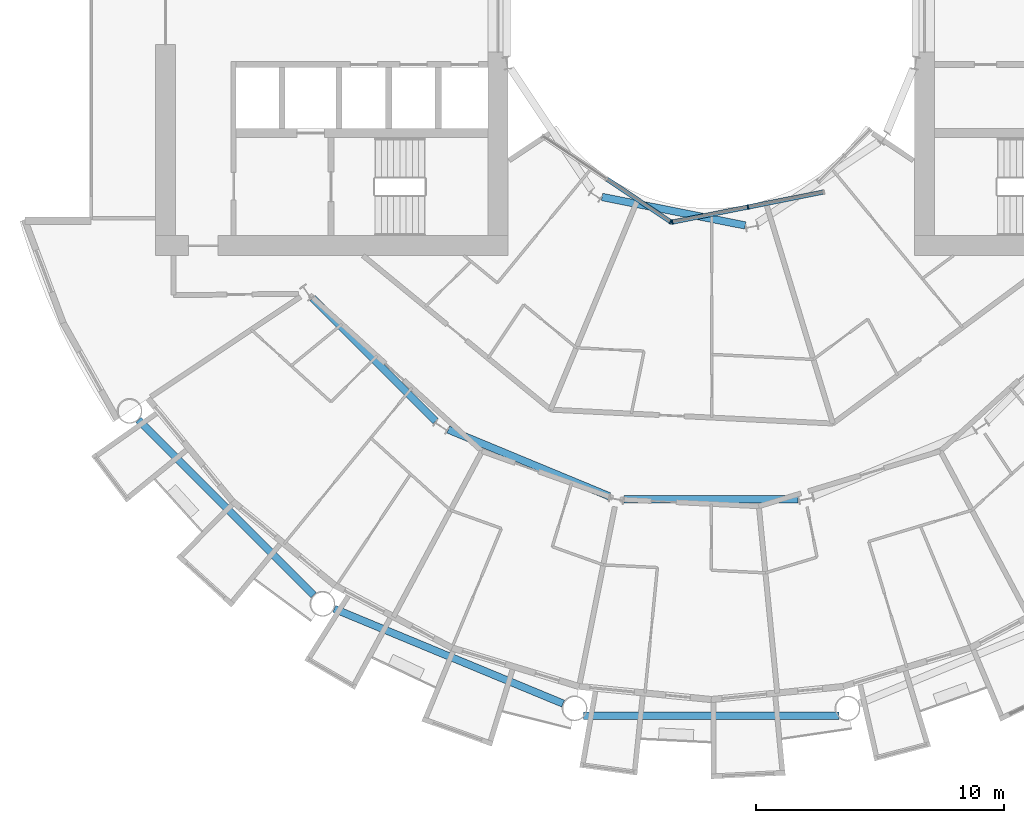
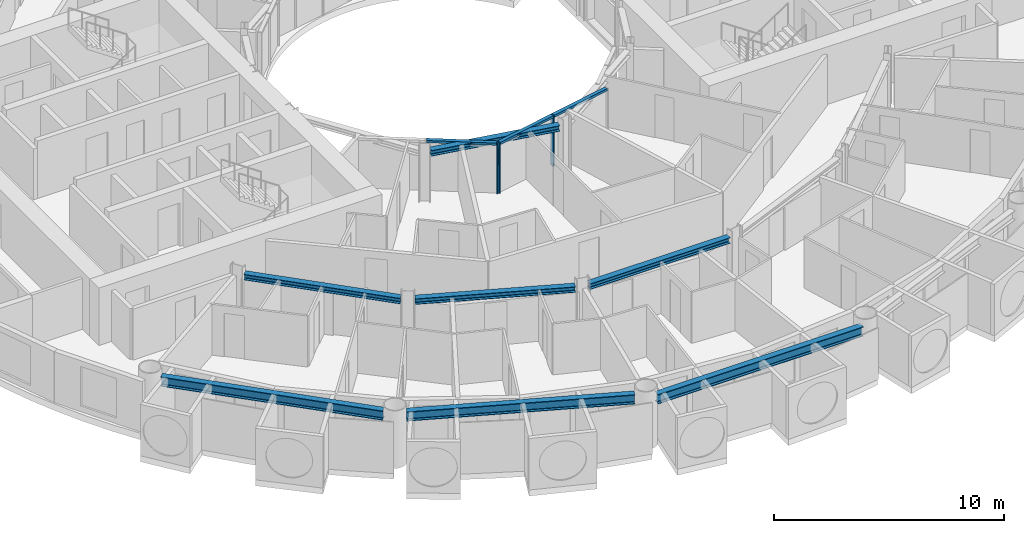
# One storey, part 4 of 26: 7 beams, 6 members, 2 elements without a shape of their own.
"""IFC4 building model written with IfcOpenShell, lengths in metres."""

from ifc_helpers import new_model, si_unit, direction, frame, origin, origin_2d, place, context, subcontext, project, spatial, rectangle, i_section, extrude, material, layer, layer_set, material_profile, profile_set, type_object, element, aggregate, save


model = new_model("IFC4")

# Units and contexts
model_context = context("Model", 3, precision=1e-05, world=origin(), true_north=direction((0.0, 1.0)))
body_context = subcontext(model_context, "Body", "Model", "MODEL_VIEW")
ifc_project = project(units=[si_unit("LENGTHUNIT", "METRE"), si_unit("AREAUNIT", "SQUARE_METRE"), si_unit("VOLUMEUNIT", "CUBIC_METRE"), si_unit("PLANEANGLEUNIT", "RADIAN"), si_unit("MASSUNIT", "GRAM", prefix="KILO")], contexts=[model_context])

# Site, building, storey
site_placement = place(None, origin())
site = spatial("IfcSite", under=ifc_project, at=site_placement, CompositionType="ELEMENT")
building_placement = place(site_placement, origin())
building = spatial("IfcBuilding", under=site, at=building_placement, Name="Maasbend Ring Residences", CompositionType="ELEMENT")
storey_placement = place(building_placement, frame((0.0, 0.0, 44.14990234375)))
storey = spatial("IfcBuildingStorey", under=building, at=storey_placement, Name="L12", CompositionType="ELEMENT", Elevation=44.14990234375)

# Curtain wall, member
ifc_material_1 = material(Name="Aluminium and clear glass", Category="aluminium")
ifc_layer = layer(ifc_material_1, 0.179931640625)
ifc_layer_set = layer_set([ifc_layer], Name="CW-W")
curtain_wall_type = type_object("IfcCurtainWallType", Name="CW-W", PredefinedType="NOTDEFINED", material=ifc_layer_set)
curtain_wall_1_placement = place(storey_placement, origin())
curtain_wall_1 = element("IfcCurtainWall", 1, at=curtain_wall_1_placement, inside=storey, type_object=curtain_wall_type, Name="Well curtain wall S1", PredefinedType="NOTDEFINED")
ifc_material_2 = material(Name="Aluminium 6063-T6", Category="aluminium")
ifc_material_profile_1 = material_profile(ifc_material_2, rectangle(XDim=0.179931640625, YDim=0.06005859375, at=origin_2d()), Name="AL 180x60")
ifc_profile_set_1 = profile_set([ifc_material_profile_1], Name="Aluminium 6063-T6")
member_type_1 = type_object("IfcMemberType", Name="CWM-W", PredefinedType="MULLION", material=ifc_profile_set_1)
member_1_placement = place(storey_placement, frame((-1.627685546875, -8.040771484375, 0.0), z_axis=(0.0, 0.0, 1.0), x_axis=(0.55557023302, 0.831469612303, 0.0)))
member_1 = element("IfcMember", 2, at=member_1_placement, type_object=member_type_1, Name="Mullion well face", PredefinedType="MULLION", context=body_context, shape_type="SweptSolid", body=[
    extrude(rectangle(XDim=0.179931640625, YDim=0.06005859375, at=origin_2d()), origin(), (0.0, 0.0, 1.0), 2.7001953125),
])

# Curtain wall, members
curtain_wall_2_placement = place(storey_placement, origin())
curtain_wall_2 = element("IfcCurtainWall", 3, at=curtain_wall_2_placement, inside=storey, type_object=curtain_wall_type, Name="Well curtain wall S2", PredefinedType="NOTDEFINED")
member_2_placement = place(storey_placement, frame((-1.5732421875, -8.0517578125, 0.0), z_axis=(0.0, 0.0, 1.0), x_axis=(-0.195090322016, 0.980785280403, 0.0)))
member_2 = element("IfcMember", 4, at=member_2_placement, type_object=member_type_1, Name="Mullion well face", PredefinedType="MULLION", context=body_context, shape_type="SweptSolid", body=[
    extrude(rectangle(XDim=0.179931640625, YDim=0.06005859375, at=origin_2d()), origin(), (0.0, 0.0, 1.0), 2.7001953125),
])
member_3_placement = place(storey_placement, frame((1.480712890625, -7.444091796875, 0.0), z_axis=(0.0, 0.0, 1.0), x_axis=(-0.195090322016, 0.980785280403, 0.0)))
member_3 = element("IfcMember", 5, at=member_3_placement, type_object=member_type_1, Name="Mullion well face", PredefinedType="MULLION", context=body_context, shape_type="SweptSolid", body=[
    extrude(rectangle(XDim=0.179931640625, YDim=0.06005859375, at=origin_2d()), origin(), (0.0, 0.0, 1.0), 2.7001953125),
])

# Member
ifc_material_3 = material(Name="Aluminium 6063-T6", Category="aluminium")
ifc_material_profile_2 = material_profile(ifc_material_3, rectangle(XDim=0.179931640625, YDim=0.1201171875, at=origin_2d()), Name="AL 180x120")
ifc_profile_set_2 = profile_set([ifc_material_profile_2], Name="Aluminium 6063-T6")
member_type_2 = type_object("IfcMemberType", Name="CWT-W", PredefinedType="USERDEFINED", material=ifc_profile_set_2)
member_4_placement = place(storey_placement, frame((-4.19189453125, -6.32763671875, 2.64013671875), z_axis=(0.831496422459, -0.555530106689, 0.0), x_axis=(0.555530106689, 0.831496422459, 0.0)))
member_4 = element("IfcMember", 6, at=member_4_placement, type_object=member_type_2, Name="Transom well face", ObjectType="TRANSOM", PredefinedType="USERDEFINED", context=body_context, shape_type="SweptSolid", body=[
    extrude(rectangle(XDim=0.179931640625, YDim=0.1201171875, at=origin_2d()), origin(), (0.0, 0.0, 1.0), 3.053955078125),
])

aggregate(curtain_wall_1, [member_1, member_4])

member_5_placement = place(storey_placement, frame((-1.5439453125, -8.0458984375, 2.64013671875), z_axis=(0.980776956105, 0.195132166424, 0.0), x_axis=(-0.195132166424, 0.980776956105, 0.0)))
member_5 = element("IfcMember", 7, at=member_5_placement, type_object=member_type_2, Name="Transom well face", ObjectType="TRANSOM", PredefinedType="USERDEFINED", context=body_context, shape_type="SweptSolid", body=[
    extrude(rectangle(XDim=0.179931640625, YDim=0.1201171875, at=origin_2d()), origin(), (0.0, 0.0, 1.0), 3.053955078125),
])

member_6_placement = place(storey_placement, frame((1.51025390625, -7.438232421875, 2.64013671875), z_axis=(0.980789210404, 0.19507056353, 0.0), x_axis=(-0.19507056353, 0.980789210404, 0.0)))
member_6 = element("IfcMember", 8, at=member_6_placement, type_object=member_type_2, Name="Transom well face", ObjectType="TRANSOM", PredefinedType="USERDEFINED", context=body_context, shape_type="SweptSolid", body=[
    extrude(rectangle(XDim=0.179931640625, YDim=0.1201171875, at=origin_2d()), origin(), (0.0, 0.0, 1.0), 3.0537109375),
])

aggregate(curtain_wall_2, [member_2, member_3, member_5, member_6])

# Beams
ifc_material_4 = material(Name="Steel S355J2", Category="steel")
ifc_material_profile_3 = material_profile(ifc_material_4, i_section(OverallWidth=0.300048828125, OverallDepth=0.300048828125, WebThickness=0.010986328125, FlangeThickness=0.01904296875, FilletRadius=0.027099609375, at=origin_2d()), Name="HEB 300")
ifc_profile_set_3 = profile_set([ifc_material_profile_3], Name="Steel S355J2")
beam_type_1 = type_object("IfcBeamType", Name="Corridor ring beam HEB 300", PredefinedType="BEAM", material=ifc_profile_set_3)
beam_1_placement = place(storey_placement, frame((-16.0732421875, -11.11279296875, 2.550048828125), z_axis=(0.707106781187, -0.707106781187, 0.0), x_axis=(0.707106781187, 0.707106781187, 0.0)))
element("IfcBeam", 9, at=beam_1_placement, inside=storey, type_object=beam_type_1, Name="Corridor ring beam", PredefinedType="BEAM", context=body_context, shape_type="SweptSolid", body=[
    extrude(i_section(OverallWidth=0.300048828125, OverallDepth=0.300048828125, WebThickness=0.010986328125, FlangeThickness=0.01904296875, FilletRadius=0.027099609375, at=origin_2d()), origin(), (0.0, 0.0, 1.0), 7.01513671875),
])
beam_2_placement = place(storey_placement, frame((-10.59716796875, -16.417724609375, 2.550048828125), z_axis=(0.923886196809, -0.38266734293, 0.0), x_axis=(0.38266734293, 0.923886196809, 0.0)))
element("IfcBeam", 10, at=beam_2_placement, inside=storey, type_object=beam_type_1, Name="Corridor ring beam", PredefinedType="BEAM", context=body_context, shape_type="SweptSolid", body=[
    extrude(i_section(OverallWidth=0.300048828125, OverallDepth=0.300048828125, WebThickness=0.010986328125, FlangeThickness=0.01904296875, FilletRadius=0.027099609375, at=origin_2d()), origin(), (0.0, 0.0, 1.0), 7.015380859375),
])
beam_3_placement = place(storey_placement, frame((-3.5078125, -19.223388671875, 2.550048828125), z_axis=(1.0, 0.0, 0.0), x_axis=(0.0, 1.0, 0.0)))
element("IfcBeam", 11, at=beam_3_placement, inside=storey, type_object=beam_type_1, Name="Corridor ring beam", PredefinedType="BEAM", context=body_context, shape_type="SweptSolid", body=[
    extrude(i_section(OverallWidth=0.300048828125, OverallDepth=0.300048828125, WebThickness=0.010986328125, FlangeThickness=0.01904296875, FilletRadius=0.027099609375, at=origin_2d()), origin(), (0.0, 0.0, 1.0), 7.015625),
])
ifc_material_5 = material(Name="Steel S355J2", Category="steel")
ifc_material_profile_4 = material_profile(ifc_material_5, i_section(OverallWidth=0.300048828125, OverallDepth=0.5, WebThickness=0.014404296875, FlangeThickness=0.028076171875, FilletRadius=0.027099609375, at=origin_2d()), Name="HEB 500")
ifc_profile_set_4 = profile_set([ifc_material_profile_4], Name="Steel S355J2")
beam_type_2 = type_object("IfcBeamType", Name="Spandrel ring beam HEB 500", PredefinedType="SPANDREL", material=ifc_profile_set_4)
beam_4_placement = place(storey_placement, frame((-23.088134765625, -16.0263671875, 2.4501953125), z_axis=(0.707106781187, -0.707106781187, 0.0), x_axis=(0.707106781187, 0.707106781187, 0.0)))
element("IfcBeam", 12, at=beam_4_placement, inside=storey, type_object=beam_type_2, Name="Spandrel ring beam", PredefinedType="SPANDREL", context=body_context, shape_type="SweptSolid", body=[
    extrude(i_section(OverallWidth=0.300048828125, OverallDepth=0.5, WebThickness=0.014404296875, FlangeThickness=0.028076171875, FilletRadius=0.027099609375, at=origin_2d()), origin(), (0.0, 0.0, 1.0), 9.98681640625),
])
beam_5_placement = place(storey_placement, frame((-15.19775390625, -23.641845703125, 2.4501953125), z_axis=(0.923886337442, -0.382667003395, 0.0), x_axis=(0.382667003395, 0.923886337442, 0.0)))
element("IfcBeam", 13, at=beam_5_placement, inside=storey, type_object=beam_type_2, Name="Spandrel ring beam", PredefinedType="SPANDREL", context=body_context, shape_type="SweptSolid", body=[
    extrude(i_section(OverallWidth=0.300048828125, OverallDepth=0.5, WebThickness=0.014404296875, FlangeThickness=0.028076171875, FilletRadius=0.027099609375, at=origin_2d()), origin(), (0.0, 0.0, 1.0), 9.9873046875),
])
beam_6_placement = place(storey_placement, frame((-5.1435546875, -27.9580078125, 2.4501953125), z_axis=(1.0, 0.0, 0.0), x_axis=(0.0, 1.0, 0.0)))
element("IfcBeam", 14, at=beam_6_placement, inside=storey, type_object=beam_type_2, Name="Spandrel ring beam", PredefinedType="SPANDREL", context=body_context, shape_type="SweptSolid", body=[
    extrude(i_section(OverallWidth=0.300048828125, OverallDepth=0.5, WebThickness=0.014404296875, FlangeThickness=0.028076171875, FilletRadius=0.027099609375, at=origin_2d()), origin(), (0.0, 0.0, 1.0), 10.287109375),
])
ifc_material_6 = material(Name="Steel S355J2", Category="steel")
ifc_material_profile_5 = material_profile(ifc_material_6, i_section(OverallWidth=0.300048828125, OverallDepth=0.300048828125, WebThickness=0.010986328125, FlangeThickness=0.01904296875, FilletRadius=0.027099609375, at=origin_2d()), Name="HEB 300")
ifc_profile_set_5 = profile_set([ifc_material_profile_5], Name="Steel S355J2")
beam_type_3 = type_object("IfcBeamType", Name="Well edge beam HEB 300", PredefinedType="BEAM", material=ifc_profile_set_5)
beam_7_placement = place(storey_placement, frame((-4.4013671875, -7.037109375, 2.550048828125), z_axis=(0.980784282486, -0.195095338819, 0.0), x_axis=(0.195095338819, 0.980784282486, 0.0)))
element("IfcBeam", 15, at=beam_7_placement, inside=storey, type_object=beam_type_3, Name="Well edge beam", PredefinedType="BEAM", context=body_context, shape_type="SweptSolid", body=[
    extrude(i_section(OverallWidth=0.300048828125, OverallDepth=0.300048828125, WebThickness=0.010986328125, FlangeThickness=0.01904296875, FilletRadius=0.027099609375, at=origin_2d()), origin(), (0.0, 0.0, 1.0), 5.8876953125),
])

save(model, "model.ifc")
